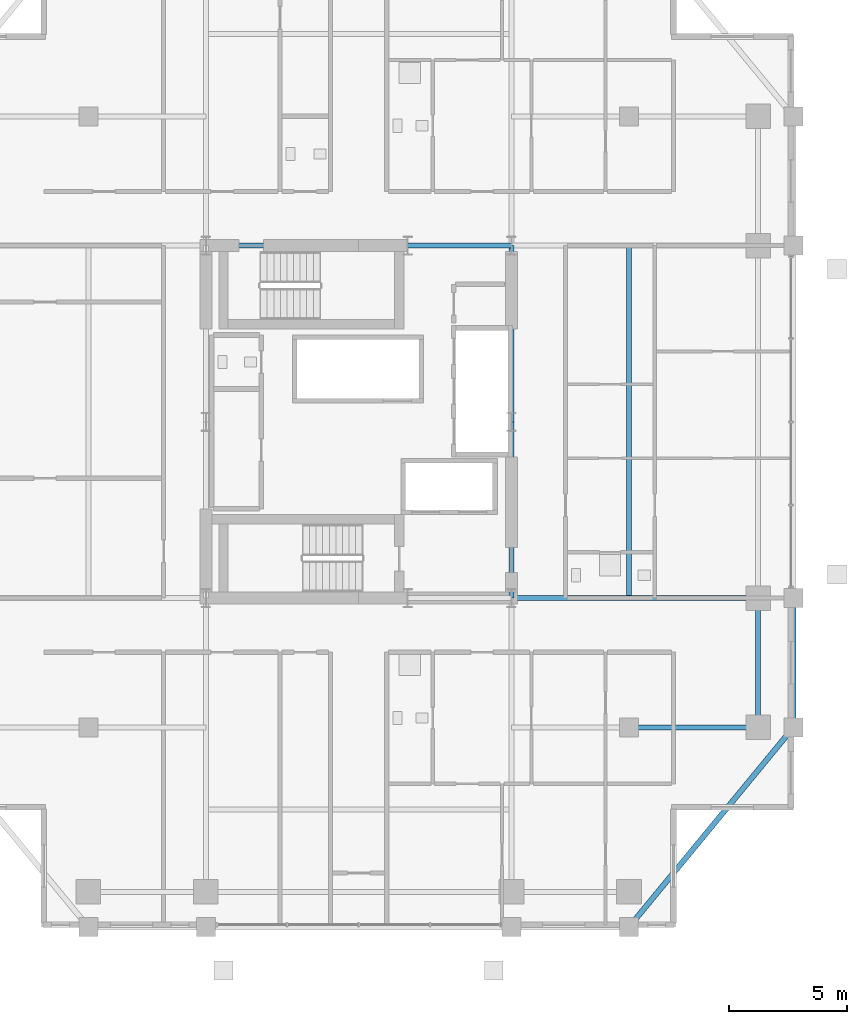
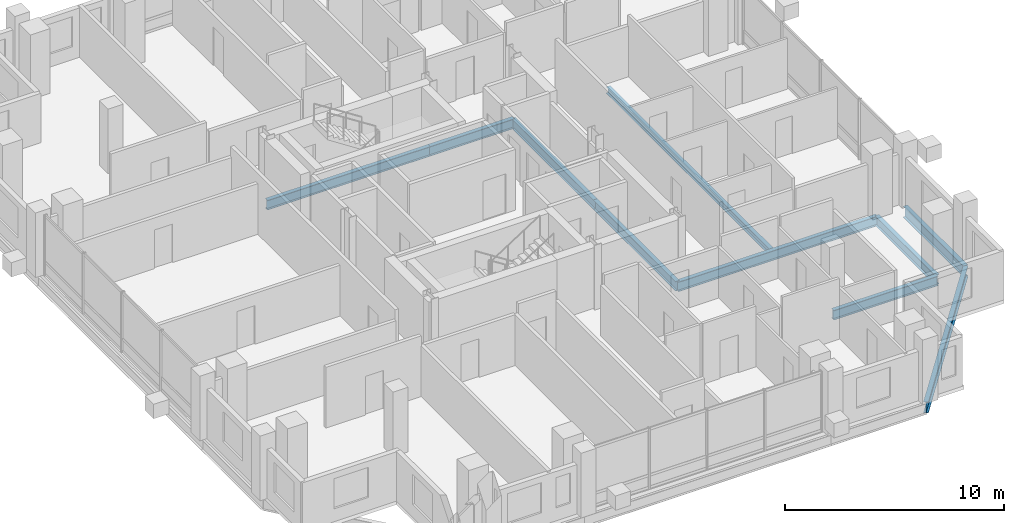
# One storey, part 9 of 24: 10 beams.
"""IFC4 building model written with IfcOpenShell, lengths in metres."""

from ifc_helpers import new_model, si_unit, direction, frame, origin, origin_2d, place, context, subcontext, project, spatial, i_section, extrude, material, material_profile, profile_set, type_object, element, save


model = new_model("IFC4")

# Units and contexts
model_context = context("Model", 3, precision=1e-05, world=origin(), true_north=direction((0.0, 1.0)))
body_context = subcontext(model_context, "Body", "Model", "MODEL_VIEW")
ifc_project = project(units=[si_unit("LENGTHUNIT", "METRE"), si_unit("AREAUNIT", "SQUARE_METRE"), si_unit("VOLUMEUNIT", "CUBIC_METRE"), si_unit("PLANEANGLEUNIT", "RADIAN"), si_unit("MASSUNIT", "GRAM", prefix="KILO")], contexts=[model_context])

# Site, building, storey
site_placement = place(None, origin())
site = spatial("IfcSite", under=ifc_project, at=site_placement, CompositionType="ELEMENT")
building_placement = place(site_placement, origin())
building = spatial("IfcBuilding", under=site, at=building_placement, Name="Barlavira Tower and Art Museum", CompositionType="ELEMENT")
storey_placement = place(building_placement, frame((0.0, 0.0, 180.0)))
storey = spatial("IfcBuildingStorey", under=building, at=storey_placement, Name="L46", CompositionType="ELEMENT", Elevation=180.0)

# Beams
ifc_material = material(Name="Steel S355", Category="steel")
ifc_material_profile_1 = material_profile(ifc_material, i_section(OverallWidth=0.22998046875, OverallDepth=0.616943359375, WebThickness=0.01318359375, FlangeThickness=0.022216796875, at=origin_2d()), Name="W610x140.0")
ifc_profile_set_1 = profile_set([ifc_material_profile_1], Name="Steel S355")
beam_type_1 = type_object("IfcBeamType", Name="Upper Shaft Spandrel Edge Beam W610x140 Steel S355", PredefinedType="SPANDREL", material=ifc_profile_set_1)
beam_1_placement = place(storey_placement, frame((11.5, -21.5, -0.528564453125), z_axis=(0.635707252861, 0.771930235617, 0.0), x_axis=(-0.771930235617, 0.635707252861, 0.0)))
element("IfcBeam", 1, at=beam_1_placement, inside=storey, type_object=beam_type_1, Name="L46 Spandrel 4", PredefinedType="SPANDREL", context=body_context, shape_type="SweptSolid", body=[
    extrude(i_section(OverallWidth=0.22998046875, OverallDepth=0.616943359375, WebThickness=0.01318359375, FlangeThickness=0.022216796875, at=origin_2d()), origin(), (0.0, 0.0, 1.0), 11.011474609375),
])
beam_2_placement = place(storey_placement, frame((18.5, -13.0, -0.528564453125), z_axis=(0.0, 1.0, 0.0), x_axis=(-1.0, 0.0, 0.0)))
element("IfcBeam", 2, at=beam_2_placement, inside=storey, type_object=beam_type_1, Name="L46 Spandrel 5", PredefinedType="SPANDREL", context=body_context, shape_type="SweptSolid", body=[
    extrude(i_section(OverallWidth=0.22998046875, OverallDepth=0.616943359375, WebThickness=0.01318359375, FlangeThickness=0.022216796875, at=origin_2d()), origin(), (0.0, 0.0, 1.0), 5.5),
])
ifc_material_profile_2 = material_profile(ifc_material, i_section(OverallWidth=0.205078125, OverallDepth=0.35400390625, WebThickness=0.009521484375, FlangeThickness=0.016845703125, at=origin_2d()), Name="W360x79.0")
ifc_profile_set_2 = profile_set([ifc_material_profile_2], Name="Steel S355")
beam_type_2 = type_object("IfcBeamType", Name="Zone 3 Composite Floor Joist W360x79 Steel S355", PredefinedType="JOIST", material=ifc_profile_set_2)
beam_3_placement = place(storey_placement, frame((11.5, -7.5, -0.39697265625), z_axis=(0.0, 1.0, 0.0), x_axis=(-1.0, 0.0, 0.0)))
element("IfcBeam", 3, at=beam_3_placement, inside=storey, type_object=beam_type_2, Name="L46 Joist W2", PredefinedType="JOIST", context=body_context, shape_type="SweptSolid", body=[
    extrude(i_section(OverallWidth=0.205078125, OverallDepth=0.35400390625, WebThickness=0.009521484375, FlangeThickness=0.016845703125, at=origin_2d()), origin(), (0.0, 0.0, 1.0), 15.0),
])
ifc_material_profile_3 = material_profile(ifc_material, i_section(OverallWidth=0.2109375, OverallDepth=0.5390625, WebThickness=0.01171875, FlangeThickness=0.018798828125, at=origin_2d()), Name="W530x109.0")
ifc_profile_set_3 = profile_set([ifc_material_profile_3], Name="Steel S355")
beam_type_3 = type_object("IfcBeamType", Name="Zone 3-4 Primary Floor Girder W530x109 Steel S355", PredefinedType="BEAM", material=ifc_profile_set_3)
beam_4_placement = place(storey_placement, frame((-6.5, 7.5, -0.489501953125), z_axis=(1.0, 0.0, 0.0), x_axis=(0.0, 1.0, 0.0)))
element("IfcBeam", 4, at=beam_4_placement, inside=storey, type_object=beam_type_3, Name="L46 Girder C-N1", PredefinedType="BEAM", context=body_context, shape_type="SweptSolid", body=[
    extrude(i_section(OverallWidth=0.2109375, OverallDepth=0.5390625, WebThickness=0.01171875, FlangeThickness=0.018798828125, at=origin_2d()), origin(), (0.0, 0.0, 1.0), 8.580078125),
])
beam_5_placement = place(storey_placement, frame((2.080078125, 7.5, -0.489501953125), z_axis=(1.0, 0.0, 0.0), x_axis=(0.0, 1.0, 0.0)))
element("IfcBeam", 5, at=beam_5_placement, inside=storey, type_object=beam_type_3, Name="L46 Girder C-N2", PredefinedType="BEAM", context=body_context, shape_type="SweptSolid", body=[
    extrude(i_section(OverallWidth=0.2109375, OverallDepth=0.5390625, WebThickness=0.01171875, FlangeThickness=0.018798828125, at=origin_2d()), origin(), (0.0, 0.0, 1.0), 4.419921875),
])
for number, where, z_axis, x_axis, name in (
    (6, (6.5, -7.5, -0.489501953125), (0.0, 1.0, 0.0), (-1.0, 0.0, 0.0), "L46 Girder C-E1"),
    (7, (6.5, 0.0, -0.489501953125), (0.0, 1.0, 0.0), (-1.0, 0.0, 0.0), "L46 Girder C-E2"),
):
    element("IfcBeam", number, at=place(storey_placement, frame(where, z_axis=z_axis, x_axis=x_axis)), inside=storey, type_object=beam_type_3, Name=name, PredefinedType="BEAM", context=body_context, shape_type="SweptSolid", body=[
        extrude(i_section(OverallWidth=0.2109375, OverallDepth=0.5390625, WebThickness=0.01171875, FlangeThickness=0.018798828125, at=origin_2d()), origin(), (0.0, 0.0, 1.0), 7.5),
    ])
beam_6_placement = place(storey_placement, frame((17.0, -13.0, -0.489501953125), z_axis=(0.0, 1.0, 0.0), x_axis=(-1.0, 0.0, 0.0)))
element("IfcBeam", 8, at=beam_6_placement, inside=storey, type_object=beam_type_3, Name="L46 Girder M-E1", PredefinedType="BEAM", context=body_context, shape_type="SweptSolid", body=[
    extrude(i_section(OverallWidth=0.2109375, OverallDepth=0.5390625, WebThickness=0.01171875, FlangeThickness=0.018798828125, at=origin_2d()), origin(), (0.0, 0.0, 1.0), 5.5),
])
beam_7_placement = place(storey_placement, frame((6.5, -7.5, -0.489501953125), z_axis=(1.0, 0.0, 0.0), x_axis=(0.0, 1.0, 0.0)))
element("IfcBeam", 9, at=beam_7_placement, inside=storey, type_object=beam_type_3, Name="L46 Girder R-E1", PredefinedType="BEAM", context=body_context, shape_type="SweptSolid", body=[
    extrude(i_section(OverallWidth=0.2109375, OverallDepth=0.5390625, WebThickness=0.01171875, FlangeThickness=0.018798828125, at=origin_2d()), origin(), (0.0, 0.0, 1.0), 10.5),
])
beam_8_placement = place(storey_placement, frame((11.5, -13.0, -0.489501953125), z_axis=(1.0, 0.0, 0.0), x_axis=(0.0, 1.0, 0.0)))
element("IfcBeam", 10, at=beam_8_placement, inside=storey, type_object=beam_type_3, Name="L46 Girder I-S4", PredefinedType="BEAM", context=body_context, shape_type="SweptSolid", body=[
    extrude(i_section(OverallWidth=0.2109375, OverallDepth=0.5390625, WebThickness=0.01171875, FlangeThickness=0.018798828125, at=origin_2d()), origin(), (0.0, 0.0, 1.0), 5.5),
])

save(model, "model.ifc")
